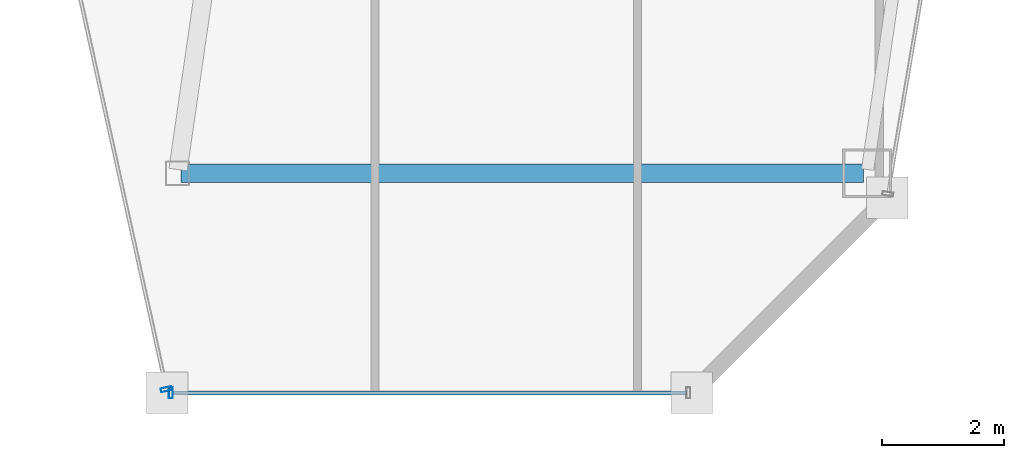
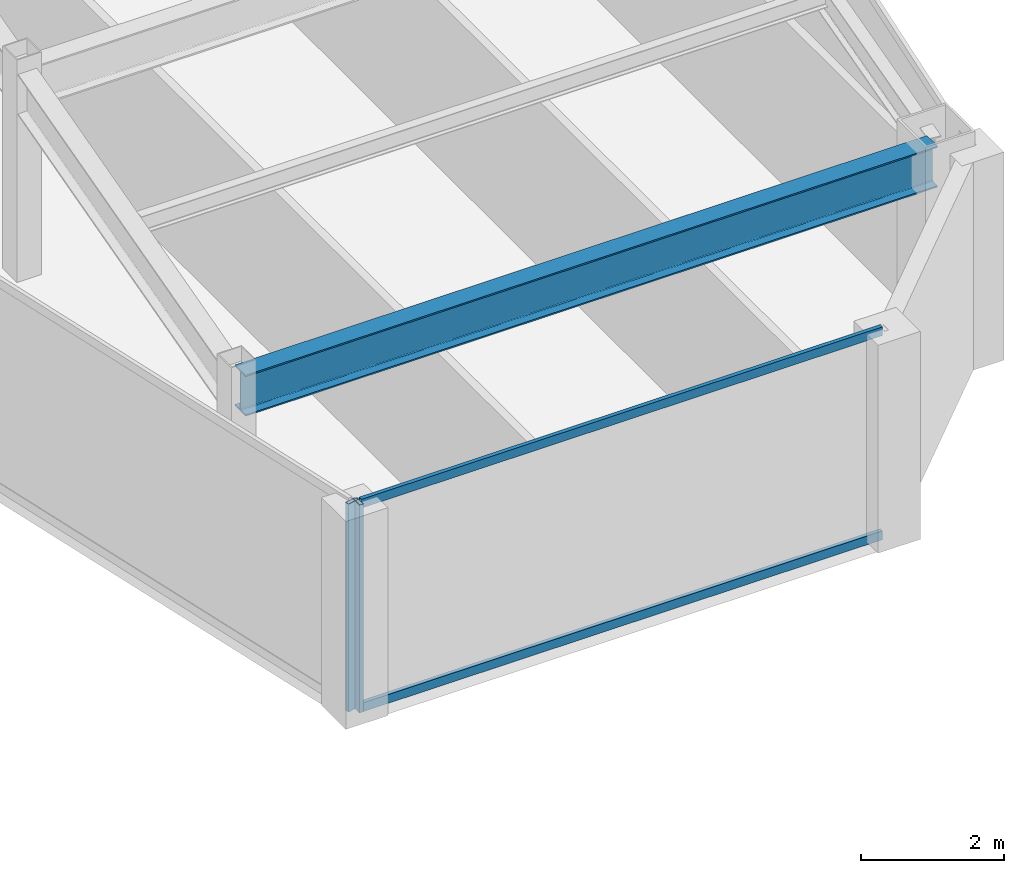
# One storey, part 16 of 36: 4 members, 1 beam, 2 elements without a shape of their own.
"""IFC4 building model written with IfcOpenShell, lengths in metres."""

from ifc_helpers import new_model, si_unit, direction, frame, origin, origin_2d, place, context, subcontext, project, spatial, hollow_rectangle, i_section, extrude, material, material_profile, profile_set, type_object, element, aggregate, save


model = new_model("IFC4")

# Units and contexts
model_context = context("Model", 3, precision=1e-05, world=origin(), true_north=direction((0.0, 1.0)))
body_context = subcontext(model_context, "Body", "Model", "MODEL_VIEW")
ifc_project = project(units=[si_unit("LENGTHUNIT", "METRE"), si_unit("AREAUNIT", "SQUARE_METRE"), si_unit("VOLUMEUNIT", "CUBIC_METRE"), si_unit("PLANEANGLEUNIT", "RADIAN"), si_unit("MASSUNIT", "GRAM", prefix="KILO")], contexts=[model_context])

# Site, building, storey
site_placement = place(None, origin())
site = spatial("IfcSite", under=ifc_project, at=site_placement, CompositionType="ELEMENT")
building_placement = place(site_placement, origin())
building = spatial("IfcBuilding", under=site, at=building_placement, Name="Saevonmaru Cultural Tower", CompositionType="ELEMENT")
storey_placement = place(building_placement, frame((0.0, 0.0, 209.39990234375)))
storey = spatial("IfcBuildingStorey", under=building, at=storey_placement, Name="L48", CompositionType="ELEMENT", Elevation=209.39990234375)

# Beam
ifc_material_1 = material(Name="Steel SM355", Category="steel")
ifc_material_profile_1 = material_profile(ifc_material_1, i_section(OverallWidth=0.300048828125, OverallDepth=0.699951171875, WebThickness=0.012939453125, FlangeThickness=0.02392578125, FilletRadius=0.02587890625, at=origin_2d()), Name="H-700x300x13x24")
ifc_profile_set_1 = profile_set([ifc_material_profile_1], Name="Steel SM355")
beam_type = type_object("IfcBeamType", Name="BM-G-H700", PredefinedType="BEAM", material=ifc_profile_set_1)
beam_placement = place(storey_placement, frame((38.132080078125, 16.0, 3.2001953125), z_axis=(1.0, 0.0, 0.0), x_axis=(0.0, 1.0, 0.0)))
element("IfcBeam", 1, at=beam_placement, inside=storey, type_object=beam_type, Name="L48 East Wing Transverse Girder 1", PredefinedType="BEAM", context=body_context, shape_type="SweptSolid", body=[
    extrude(i_section(OverallWidth=0.300048828125, OverallDepth=0.699951171875, WebThickness=0.012939453125, FlangeThickness=0.02392578125, FilletRadius=0.02587890625, at=origin_2d()), origin(), (0.0, 0.0, 1.0), 11.179931640625),
])

# Curtain wall, member
ifc_material_2 = material(Name="Satin Bronze Anodised Aluminium", Category="aluminium")
curtain_wall_type = type_object("IfcCurtainWallType", Name="CW-TYP-B", PredefinedType="NOTDEFINED", material=ifc_material_2)
curtain_wall_1_placement = place(storey_placement, origin())
curtain_wall_1 = element("IfcCurtainWall", 2, at=curtain_wall_1_placement, inside=storey, type_object=curtain_wall_type, Name="L48 Unitised Curtain Wall E5", PredefinedType="NOTDEFINED")
ifc_material_profile_2 = material_profile(ifc_material_2, hollow_rectangle(XDim=0.06494140625, YDim=0.179931640625, WallThickness=0.00390625, at=origin_2d()), Name="ALU-MULL-180x65x4")
ifc_profile_set_2 = profile_set([ifc_material_profile_2], Name="Satin Bronze Anodised Aluminium")
member_type_1 = type_object("IfcMemberType", Name="ML-CW-180x65", PredefinedType="MULLION", material=ifc_profile_set_2)
member_1_placement = place(storey_placement, frame((37.889404296875, 12.45849609375, 0.0), z_axis=(0.0, 0.0, 1.0), x_axis=(0.215413319953, -0.976522965212, 0.0)))
member_1 = element("IfcMember", 3, at=member_1_placement, type_object=member_type_1, Name="CW-TW-L48-E5 mullion 2", PredefinedType="MULLION", context=body_context, shape_type="SweptSolid", body=[
    extrude(hollow_rectangle(XDim=0.06494140625, YDim=0.179931640625, WallThickness=0.00390625, at=origin_2d()), origin(), (0.0, 0.0, 1.0), 3.550048828125),
])
aggregate(curtain_wall_1, [member_1])

# Curtain wall, members
curtain_wall_2_placement = place(storey_placement, origin())
curtain_wall_2 = element("IfcCurtainWall", 4, at=curtain_wall_2_placement, inside=storey, type_object=curtain_wall_type, Name="L48 Unitised Curtain Wall E6", PredefinedType="NOTDEFINED")
member_2_placement = place(storey_placement, frame((37.962158203125, 12.39990234375, 0.0), z_axis=(0.0, 0.0, 1.0), x_axis=(1.0, 0.0, 0.0)))
member_2 = element("IfcMember", 5, at=member_2_placement, type_object=member_type_1, Name="CW-TW-L48-E6 mullion 1", PredefinedType="MULLION", context=body_context, shape_type="SweptSolid", body=[
    extrude(hollow_rectangle(XDim=0.06494140625, YDim=0.179931640625, WallThickness=0.00390625, at=origin_2d()), origin(), (0.0, 0.0, 1.0), 3.550048828125),
])
ifc_material_profile_3 = material_profile(ifc_material_2, hollow_rectangle(XDim=0.06494140625, YDim=0.14990234375, WallThickness=0.00390625, at=origin_2d()), Name="ALU-TRAN-150x65x4")
ifc_profile_set_3 = profile_set([ifc_material_profile_3], Name="Satin Bronze Anodised Aluminium")
member_type_2 = type_object("IfcMemberType", Name="TR-CW-150x65", PredefinedType="USERDEFINED", material=ifc_profile_set_3)
member_3_placement = place(storey_placement, frame((37.99462890625, 12.39990234375, 0.03271484375), z_axis=(1.0, 0.0, 0.0), x_axis=(0.0, 1.0, 0.0)))
member_3 = element("IfcMember", 6, at=member_3_placement, type_object=member_type_2, Name="CW-TW-L48-E6 transom 1.1", ObjectType="TRANSOM", PredefinedType="USERDEFINED", context=body_context, shape_type="SweptSolid", body=[
    extrude(hollow_rectangle(XDim=0.06494140625, YDim=0.14990234375, WallThickness=0.00390625, at=origin_2d()), origin(), (0.0, 0.0, 1.0), 8.4150390625),
])
member_4_placement = place(storey_placement, frame((37.99462890625, 12.39990234375, 3.517578125), z_axis=(1.0, 0.0, 0.0), x_axis=(0.0, 1.0, 0.0)))
member_4 = element("IfcMember", 7, at=member_4_placement, type_object=member_type_2, Name="CW-TW-L48-E6 transom 1.2", ObjectType="TRANSOM", PredefinedType="USERDEFINED", context=body_context, shape_type="SweptSolid", body=[
    extrude(hollow_rectangle(XDim=0.06494140625, YDim=0.14990234375, WallThickness=0.00390625, at=origin_2d()), origin(), (0.0, 0.0, 1.0), 8.4150390625),
])
aggregate(curtain_wall_2, [member_2, member_3, member_4])

save(model, "model.ifc")
